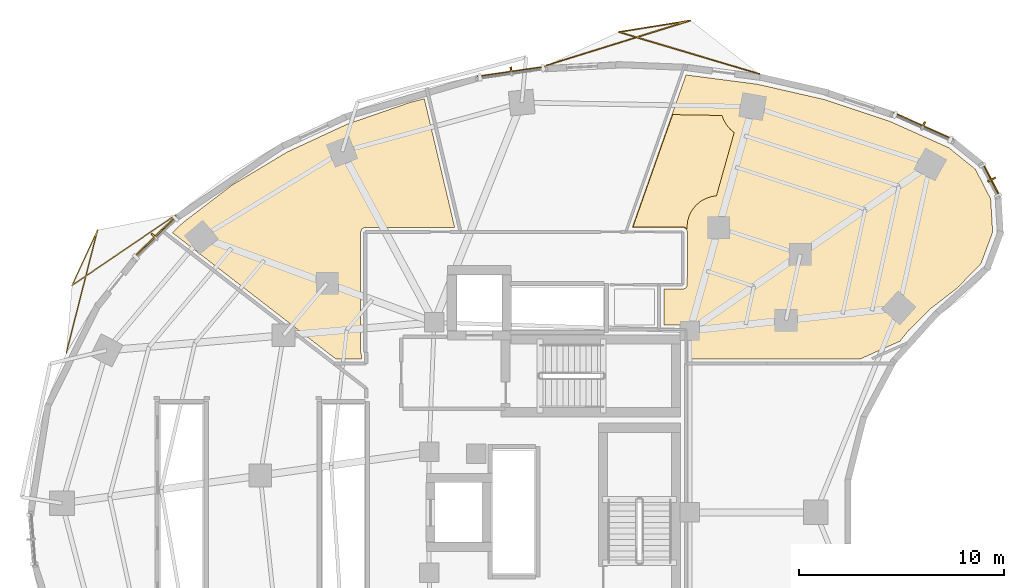
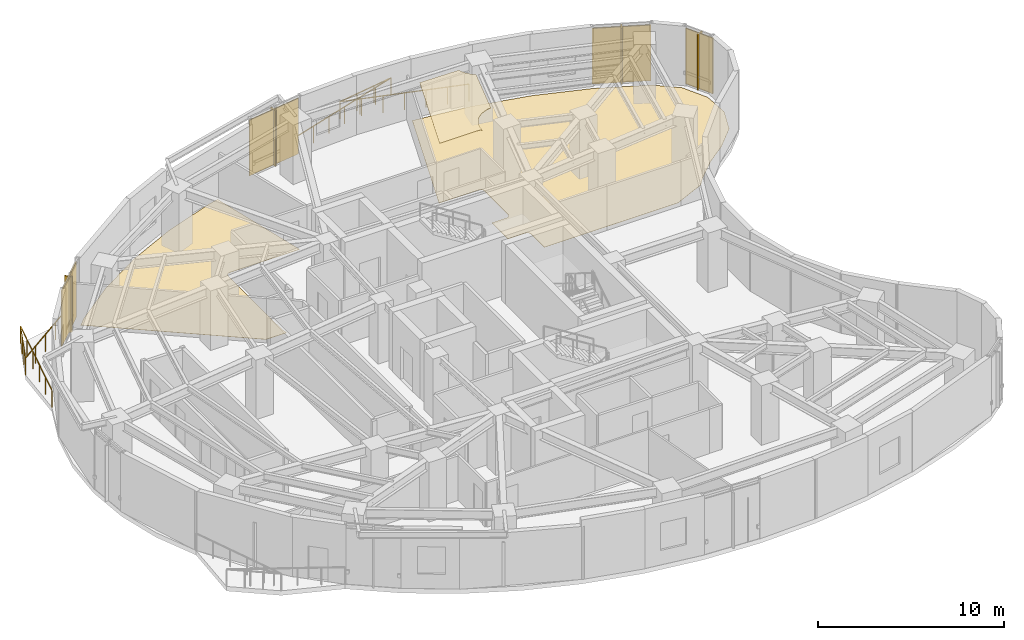
# One storey, part 14 of 14: 8 shading devices, 3 coverings, 2 railings.
"""IFC4 building model written with IfcOpenShell, lengths in metres."""

from ifc_helpers import new_model, si_unit, direction, frame, origin, origin_2d, place, context, subcontext, project, spatial, polyline, rectangle, outline, extrude, material, layer, layer_set, type_object, element, save


model = new_model("IFC4")

# Units and contexts
model_context = context("Model", 3, precision=1e-05, world=origin(), true_north=direction((0.0, 1.0)))
body_context = subcontext(model_context, "Body", "Model", "MODEL_VIEW")
ifc_project = project(units=[si_unit("LENGTHUNIT", "METRE"), si_unit("AREAUNIT", "SQUARE_METRE"), si_unit("VOLUMEUNIT", "CUBIC_METRE"), si_unit("PLANEANGLEUNIT", "RADIAN"), si_unit("MASSUNIT", "GRAM", prefix="KILO")], contexts=[model_context])

# Site, building, storey
site_placement = place(None, origin())
site = spatial("IfcSite", under=ifc_project, at=site_placement, CompositionType="ELEMENT")
building_placement = place(site_placement, origin())
building = spatial("IfcBuilding", under=site, at=building_placement, Name="Korentha Bioscience Tower", CompositionType="ELEMENT")
storey_placement = place(building_placement, frame((0.0, 0.0, 132.0)))
storey = spatial("IfcBuildingStorey", under=building, at=storey_placement, Name="L30", CompositionType="ELEMENT", Elevation=132.0)

# Railings
ifc_material_1 = material(Name="Laminated Tempered Safety Glass", Category="glass")
railing_type = type_object("IfcRailingType", Name="Laminated Glass Balcony Guardrail 1150", PredefinedType="BALUSTRADE", material=ifc_material_1)
railing_1_placement = place(storey_placement, frame((40.925537109375, 48.3564453125, 0.0)))
element("IfcRailing", 1, at=railing_1_placement, inside=storey, type_object=railing_type, Name="L30 Balcony Guardrail 01", PredefinedType="BALUSTRADE", context=body_context, shape_type="SweptSolid", body=[
    extrude(rectangle(XDim=0.048095703125, YDim=0.048095703125, at=origin_2d()), frame((0.0, 0.0, 1.1259765625), z_axis=(-0.958299428434, 0.285765997736, 0.0), x_axis=(-0.285765997736, -0.958299428434, 0.0)), (0.0, 0.0, 1.0), 7.137939453125),
    extrude(rectangle(XDim=0.048095703125, YDim=0.048095703125, at=origin_2d()), frame((-6.84033203125, 2.039794921875, 1.1259765625), z_axis=(0.987385992889, 0.158331617329, 0.0), x_axis=(-0.158331617329, 0.987385992889, 0.0)), (0.0, 0.0, 1.0), 3.544921875),
    extrude(rectangle(XDim=0.048095703125, YDim=0.048095703125, at=origin_2d()), frame((-3.340087890625, 2.60107421875, 1.1259765625), z_axis=(-0.954750497561, -0.297407947786, 0.0), x_axis=(0.297407947786, -0.954750497561, 0.0)), (0.0, 0.0, 1.0), 7.360107421875),
    extrude(rectangle(XDim=0.0419921875, YDim=0.0419921875, at=origin_2d()), origin(), (0.0, 0.0, 1.0), 1.101806640625),
    extrude(rectangle(XDim=0.0419921875, YDim=0.0419921875, at=origin_2d()), frame((-1.14013671875, 0.33984375, 0.0)), (0.0, 0.0, 1.0), 1.101806640625),
    extrude(rectangle(XDim=0.0419921875, YDim=0.0419921875, at=origin_2d()), frame((-2.280029296875, 0.679931640625, 0.0)), (0.0, 0.0, 1.0), 1.101806640625),
    extrude(rectangle(XDim=0.0419921875, YDim=0.0419921875, at=origin_2d()), frame((-3.420166015625, 1.02001953125, 0.0)), (0.0, 0.0, 1.0), 1.101806640625),
    extrude(rectangle(XDim=0.0419921875, YDim=0.0419921875, at=origin_2d()), frame((-4.560302734375, 1.35986328125, 0.0)), (0.0, 0.0, 1.0), 1.101806640625),
    extrude(rectangle(XDim=0.0419921875, YDim=0.0419921875, at=origin_2d()), frame((-5.7001953125, 1.69970703125, 0.0)), (0.0, 0.0, 1.0), 1.101806640625),
    extrude(rectangle(XDim=0.0419921875, YDim=0.0419921875, at=origin_2d()), frame((-6.84033203125, 2.039794921875, 0.0)), (0.0, 0.0, 1.0), 1.101806640625),
    extrude(rectangle(XDim=0.0419921875, YDim=0.0419921875, at=origin_2d()), frame((-5.673583984375, 2.226806640625, 0.0)), (0.0, 0.0, 1.0), 1.101806640625),
    extrude(rectangle(XDim=0.0419921875, YDim=0.0419921875, at=origin_2d()), frame((-4.5068359375, 2.4140625, 0.0)), (0.0, 0.0, 1.0), 1.101806640625),
    extrude(rectangle(XDim=0.0419921875, YDim=0.0419921875, at=origin_2d()), frame((-3.340087890625, 2.60107421875, 0.0)), (0.0, 0.0, 1.0), 1.101806640625),
    extrude(rectangle(XDim=0.0419921875, YDim=0.0419921875, at=origin_2d()), frame((-4.51123046875, 2.236328125, 0.0)), (0.0, 0.0, 1.0), 1.101806640625),
    extrude(rectangle(XDim=0.0419921875, YDim=0.0419921875, at=origin_2d()), frame((-5.682373046875, 1.871337890625, 0.0)), (0.0, 0.0, 1.0), 1.101806640625),
    extrude(rectangle(XDim=0.0419921875, YDim=0.0419921875, at=origin_2d()), frame((-6.853515625, 1.506591796875, 0.0)), (0.0, 0.0, 1.0), 1.101806640625),
    extrude(rectangle(XDim=0.0419921875, YDim=0.0419921875, at=origin_2d()), frame((-8.02490234375, 1.141845703125, 0.0)), (0.0, 0.0, 1.0), 1.101806640625),
    extrude(rectangle(XDim=0.0419921875, YDim=0.0419921875, at=origin_2d()), frame((-9.196044921875, 0.77685546875, 0.0)), (0.0, 0.0, 1.0), 1.101806640625),
    extrude(rectangle(XDim=0.0419921875, YDim=0.0419921875, at=origin_2d()), frame((-10.3671875, 0.412109375, 0.0)), (0.0, 0.0, 1.0), 1.101806640625),
])
railing_2_placement = place(storey_placement, frame((12.52294921875, 41.495361328125, 0.0)))
element("IfcRailing", 2, at=railing_2_placement, inside=storey, type_object=railing_type, Name="L30 Balcony Guardrail 02", PredefinedType="BALUSTRADE", context=body_context, shape_type="SweptSolid", body=[
    extrude(rectangle(XDim=0.048095703125, YDim=0.048095703125, at=origin_2d()), frame((0.0, 0.0, 1.1259765625), z_axis=(-0.827016241703, -0.562178028705, 0.0), x_axis=(0.562178028705, -0.827016241703, 0.0)), (0.0, 0.0, 1.0), 6.1220703125),
    extrude(rectangle(XDim=0.048095703125, YDim=0.048095703125, at=origin_2d()), frame((-5.06298828125, -3.441650390625, 1.1259765625), z_axis=(0.418625157172, 0.908159114793, 0.0), x_axis=(-0.908159114793, 0.418625157172, 0.0)), (0.0, 0.0, 1.0), 2.9677734375),
    extrude(rectangle(XDim=0.048095703125, YDim=0.048095703125, at=origin_2d()), frame((-3.820556640625, -0.746337890625, 1.1259765625), z_axis=(-0.24639187643, -0.969170285981, 0.0), x_axis=(0.969170285981, -0.24639187643, 0.0)), (0.0, 0.0, 1.0), 6.19384765625),
    extrude(rectangle(XDim=0.0419921875, YDim=0.0419921875, at=origin_2d()), origin(), (0.0, 0.0, 1.0), 1.101806640625),
    extrude(rectangle(XDim=0.0419921875, YDim=0.0419921875, at=origin_2d()), frame((-1.0126953125, -0.688232421875, 0.0)), (0.0, 0.0, 1.0), 1.101806640625),
    extrude(rectangle(XDim=0.0419921875, YDim=0.0419921875, at=origin_2d()), frame((-2.025146484375, -1.376708984375, 0.0)), (0.0, 0.0, 1.0), 1.101806640625),
    extrude(rectangle(XDim=0.0419921875, YDim=0.0419921875, at=origin_2d()), frame((-3.037841796875, -2.06494140625, 0.0)), (0.0, 0.0, 1.0), 1.101806640625),
    extrude(rectangle(XDim=0.0419921875, YDim=0.0419921875, at=origin_2d()), frame((-4.05029296875, -2.75341796875, 0.0)), (0.0, 0.0, 1.0), 1.101806640625),
    extrude(rectangle(XDim=0.0419921875, YDim=0.0419921875, at=origin_2d()), frame((-5.06298828125, -3.441650390625, 0.0)), (0.0, 0.0, 1.0), 1.101806640625),
    extrude(rectangle(XDim=0.0419921875, YDim=0.0419921875, at=origin_2d()), frame((-4.64892578125, -2.543212890625, 0.0)), (0.0, 0.0, 1.0), 1.101806640625),
    extrude(rectangle(XDim=0.0419921875, YDim=0.0419921875, at=origin_2d()), frame((-4.234619140625, -1.644775390625, 0.0)), (0.0, 0.0, 1.0), 1.101806640625),
    extrude(rectangle(XDim=0.0419921875, YDim=0.0419921875, at=origin_2d()), frame((-3.820556640625, -0.746337890625, 0.0)), (0.0, 0.0, 1.0), 1.101806640625),
    extrude(rectangle(XDim=0.0419921875, YDim=0.0419921875, at=origin_2d()), frame((-4.125732421875, -1.947021484375, 0.0)), (0.0, 0.0, 1.0), 1.101806640625),
    extrude(rectangle(XDim=0.0419921875, YDim=0.0419921875, at=origin_2d()), frame((-4.430908203125, -3.1474609375, 0.0)), (0.0, 0.0, 1.0), 1.101806640625),
    extrude(rectangle(XDim=0.0419921875, YDim=0.0419921875, at=origin_2d()), frame((-4.736328125, -4.34814453125, 0.0)), (0.0, 0.0, 1.0), 1.101806640625),
    extrude(rectangle(XDim=0.0419921875, YDim=0.0419921875, at=origin_2d()), frame((-5.04150390625, -5.548583984375, 0.0)), (0.0, 0.0, 1.0), 1.101806640625),
    extrude(rectangle(XDim=0.0419921875, YDim=0.0419921875, at=origin_2d()), frame((-5.3466796875, -6.749267578125, 0.0)), (0.0, 0.0, 1.0), 1.101806640625),
])

# Covering
ifc_material_2 = material(Name="Antimicrobial Mineral Fibre Board", Category="gypsum")
ifc_layer_1 = layer(ifc_material_2, 0.034912109375, Name="Antimicrobial Mineral Fibre Board")
ifc_layer_set_1 = layer_set([ifc_layer_1], Name="Antimicrobial Mineral Fibre Board (CL-MF35)")
covering_type_1 = type_object("IfcCoveringType", Name="Mineral-Fibre Cleanroom Suspended Ceiling 35", PredefinedType="CEILING", material=ifc_layer_set_1)
covering_1_placement = place(storey_placement, frame((0.0, 0.0, 3.864990234375)))
element("IfcCovering", 3, at=covering_1_placement, inside=storey, type_object=covering_type_1, Name="L30 Colloquium Huddle Room 05 Acoustic Ceiling", PredefinedType="CEILING", context=body_context, shape_type="SweptSolid", body=[
    extrude(outline(polyline([(37.408203125, 40.805908203125), (37.310791015625, 40.88525390625), (37.21240234375, 40.90966796875), (34.785888671875, 40.909912109375), (36.714599609375, 46.373046875), (39.11669921875, 46.33154296875), (39.172119140625, 46.171630859375), (39.3154296875, 45.90380859375), (39.50830078125, 45.668701171875), (39.71044921875, 45.500244140625), (38.84716796875, 42.41552734375), (38.652587890625, 42.39111328125), (38.36181640625, 42.302734375), (38.09375, 42.15966796875), (37.85888671875, 41.966796875), (37.666015625, 41.73193359375), (37.52294921875, 41.464111328125), (37.434814453125, 41.173095703125), (37.408203125, 40.805908203125)])), origin(), (0.0, 0.0, 1.0), 0.034912109375),
])

# Shading devices
ifc_material_3 = material(Name="Perforated Stone-Ceramic Composite", Category="masonry")
ifc_layer_2 = layer(ifc_material_3, 0.06494140625, Name="Perforated Stone-Ceramic Composite")
ifc_layer_set_2 = layer_set([ifc_layer_2], Name="Perforated Stone-Ceramic Composite (CS-01)")
shading_device_type_1 = type_object("IfcShadingDeviceType", Name="Perforated Stone-Ceramic Solar Screen Panel 65", PredefinedType="USERDEFINED", material=ifc_layer_set_2)
shading_device_1_placement = place(storey_placement, frame((48.912109375, 45.811279296875, 0.0), z_axis=(0.0, 0.0, 1.0), x_axis=(-0.912686563127, 0.408660295952, 0.0)))
element("IfcShadingDevice", 4, at=shading_device_1_placement, inside=storey, type_object=shading_device_type_1, Name="CW-L30-01 Perforated Stone-Ceramic Solar Screen", ObjectType="SCREEN", PredefinedType="USERDEFINED", context=body_context, shape_type="SweptSolid", body=[
    extrude(rectangle(XDim=3.1806640625, YDim=0.06494140625, at=origin_2d()), origin(), (0.0, 0.0, 1.0), 3.64990234375),
])
shading_device_2_placement = place(storey_placement, frame((28.85888671875, 48.46240234375, 0.0), z_axis=(0.0, 0.0, 1.0), x_axis=(-0.989738282326, -0.14289203091, 0.0)))
element("IfcShadingDevice", 5, at=shading_device_2_placement, inside=storey, type_object=shading_device_type_1, Name="CW-L30-07 Perforated Stone-Ceramic Solar Screen", ObjectType="SCREEN", PredefinedType="USERDEFINED", context=body_context, shape_type="SweptSolid", body=[
    extrude(rectangle(XDim=3.351318359375, YDim=0.06494140625, at=origin_2d()), origin(), (0.0, 0.0, 1.0), 3.64990234375),
])
shading_device_3_placement = place(storey_placement, frame((11.497314453125, 40.41162109375, 0.0), z_axis=(0.0, 0.0, 1.0), x_axis=(-0.716095631804, -0.698002182025, 0.0)))
element("IfcShadingDevice", 6, at=shading_device_3_placement, inside=storey, type_object=shading_device_type_1, Name="CW-L30-13 Perforated Stone-Ceramic Solar Screen", ObjectType="SCREEN", PredefinedType="USERDEFINED", context=body_context, shape_type="SweptSolid", body=[
    extrude(rectangle(XDim=2.8818359375, YDim=0.06494140625, at=origin_2d()), origin(), (0.0, 0.0, 1.0), 3.64990234375),
])
shading_device_4_placement = place(storey_placement, frame((52.2294921875, 43.1953125, 0.0), z_axis=(0.0, 0.0, 1.0), x_axis=(-0.457613117169, 0.889151412862, 0.0)))
element("IfcShadingDevice", 7, at=shading_device_4_placement, inside=storey, type_object=shading_device_type_1, Name="CW-L30-61 Perforated Stone-Ceramic Solar Screen", ObjectType="SCREEN", PredefinedType="USERDEFINED", context=body_context, shape_type="SweptSolid", body=[
    extrude(rectangle(XDim=1.737548828125, YDim=0.06494140625, at=origin_2d()), origin(), (0.0, 0.0, 1.0), 3.64990234375),
])

# Coverings
ifc_material_4 = material(Name="Chemical-Resistant Epoxy Resin", Category="polymer")
ifc_layer_3 = layer(ifc_material_4, 0.011962890625, Name="Chemical-Resistant Epoxy Resin")
ifc_layer_set_3 = layer_set([ifc_layer_3], Name="Chemical-Resistant Epoxy Resin (FL-EPX)")
covering_type_2 = type_object("IfcCoveringType", Name="Seamless Epoxy Laboratory Flooring 12", PredefinedType="FLOORING", material=ifc_layer_set_3)
covering_2_placement = place(storey_placement, origin())
element("IfcCovering", 8, at=covering_2_placement, inside=storey, type_object=covering_type_2, Name="L30 Colloquium Huddle Room 05 Floor Finish", PredefinedType="FLOORING", context=body_context, shape_type="SweptSolid", body=[
    extrude(outline(polyline([(37.364501953125, 48.30419921875), (40.8349609375, 47.85400390625), (44.1171875, 47.103515625), (47.25439453125, 46.060546875), (50.164794921875, 44.75732421875), (51.4580078125, 43.7109375), (52.200439453125, 42.26806640625), (52.29833984375, 40.6484375), (51.734619140625, 39.126708984375), (50.556396484375, 37.911376953125), (49.31103515625, 36.951416015625), (48.197998046875, 35.857421875), (47.776611328125, 35.332275390625), (45.85791015625, 34.47802734375), (37.580078125, 34.47802734375), (37.57958984375, 35.910888671875), (37.534423828125, 36.037353515625), (37.4677734375, 36.097412109375), (37.36181640625, 36.129638671875), (36.280029296875, 36.1298828125), (36.280029296875, 37.8701171875), (37.234130859375, 37.87255859375), (37.354736328125, 37.929931640625), (37.423095703125, 38.044677734375), (37.429931640625, 40.64990234375), (37.408203125, 40.747802734375), (37.336669921875, 40.8349609375), (37.2119140625, 40.879638671875), (34.743408203125, 40.8798828125), (37.364501953125, 48.30419921875)])), origin(), (0.0, 0.0, 1.0), 0.011962890625),
])
covering_3_placement = place(storey_placement, origin())
element("IfcCovering", 9, at=covering_3_placement, inside=storey, type_object=covering_type_2, Name="L30 Specimen Barcoding Receiving Room 07 Floor Finish", PredefinedType="FLOORING", context=body_context, shape_type="SweptSolid", body=[
    extrude(outline(polyline([(17.93896484375, 44.5517578125), (20.857666015625, 45.905517578125), (23.972900390625, 46.98486328125), (24.618896484375, 47.14111328125), (26.096923828125, 40.8798828125), (21.75, 40.8798828125), (21.651123046875, 40.857666015625), (21.56494140625, 40.78662109375), (21.52001953125, 40.64990234375), (21.52001953125, 34.800048828125), (21.533203125, 34.722900390625), (21.570068359375, 34.6572265625), (21.570068359375, 34.471923828125), (20.309814453125, 34.471923828125), (12.354248046875, 40.61865234375), (12.85693359375, 41.108642578125), (15.25927734375, 42.94482421875), (17.93896484375, 44.5517578125)])), origin(), (0.0, 0.0, 1.0), 0.011962890625),
])

# Shading devices
ifc_material_5 = material(Name="Honed Travertine Limestone", Category="masonry")
ifc_layer_4 = layer(ifc_material_5, 0.080078125, Name="Honed Travertine Limestone")
ifc_layer_set_4 = layer_set([ifc_layer_4], Name="Honed Travertine Limestone (CS-02)")
shading_device_type_2 = type_object("IfcShadingDeviceType", Name="Vertical Honed Limestone Sunshade Fin 80x420", PredefinedType="USERDEFINED", material=ifc_layer_set_4)
for number, where, z_axis, x_axis, name in (
    (10, (48.92041015625, 45.82958984375, 0.0), (0.0, 0.0, 1.0), (-0.912686563127, 0.408660295952, 0.0), "CW-L30-01 Limestone Sunshade Fin"),
    (11, (28.856201171875, 48.482421875, 0.0), (0.0, 0.0, 1.0), (-0.989738282326, -0.14289203091, 0.0), "CW-L30-07 Limestone Sunshade Fin"),
    (12, (11.483154296875, 40.42578125, 0.0), (0.0, 0.0, 1.0), (-0.716095631804, -0.698002182025, 0.0), "CW-L30-13 Limestone Sunshade Fin"),
    (13, (52.2470703125, 43.20458984375, 0.0), (0.0, 0.0, 1.0), (-0.457613117169, 0.889151412862, 0.0), "CW-L30-61 Limestone Sunshade Fin"),
):
    element("IfcShadingDevice", number, at=place(storey_placement, frame(where, z_axis=z_axis, x_axis=x_axis)), inside=storey, type_object=shading_device_type_2, Name=name, ObjectType="SCREEN", PredefinedType="USERDEFINED", context=body_context, shape_type="SweptSolid", body=[
        extrude(rectangle(XDim=0.080078125, YDim=0.419921875, at=origin_2d()), origin(), (0.0, 0.0, 1.0), 3.64990234375),
    ])

save(model, "model.ifc")
